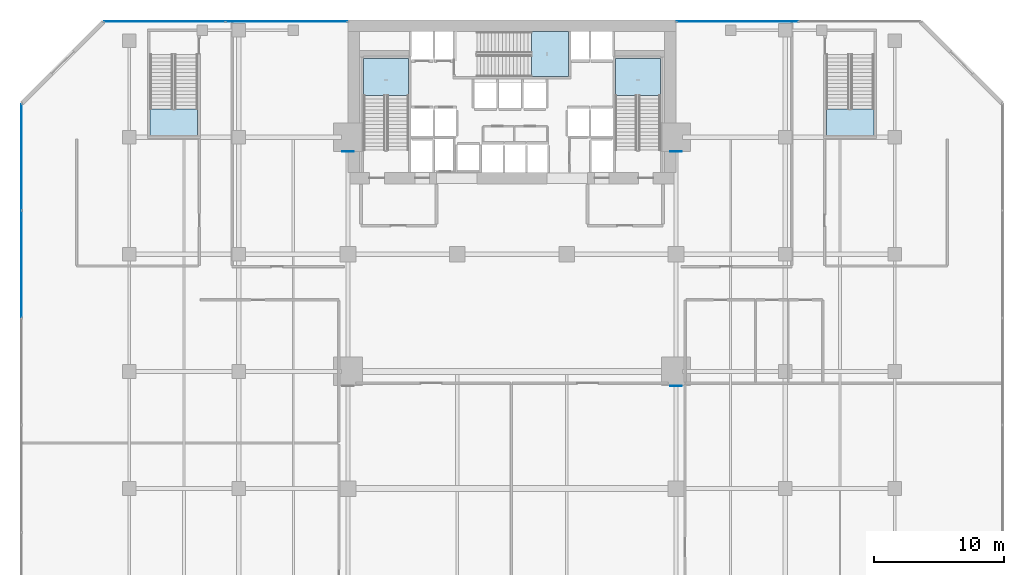
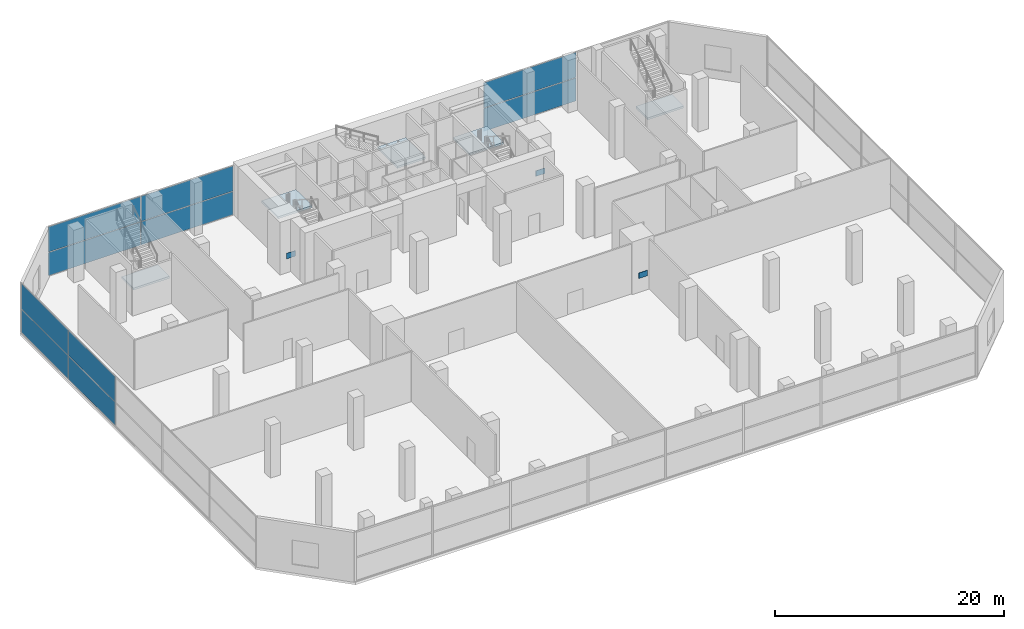
# One storey, part 33 of 40: 13 plates, 5 slabs, 8 elements without a shape of their own.
"""IFC4 building model written with IfcOpenShell, lengths in metres."""

from ifc_helpers import new_model, si_unit, direction, frame, origin, origin_2d, place, context, subcontext, project, spatial, polyline, rectangle, outline, extrude, material, layer, layer_set, type_object, element, aggregate, save


model = new_model("IFC4")

# Units and contexts
model_context = context("Model", 3, precision=1e-05, world=origin(), true_north=direction((0.0, 1.0)))
body_context = subcontext(model_context, "Body", "Model", "MODEL_VIEW")
ifc_project = project(units=[si_unit("LENGTHUNIT", "METRE"), si_unit("AREAUNIT", "SQUARE_METRE"), si_unit("VOLUMEUNIT", "CUBIC_METRE"), si_unit("PLANEANGLEUNIT", "RADIAN"), si_unit("MASSUNIT", "GRAM", prefix="KILO")], contexts=[model_context])

# Site, building, storey
site_placement = place(None, origin())
site = spatial("IfcSite", under=ifc_project, at=site_placement, CompositionType="ELEMENT")
building_placement = place(site_placement, origin())
building = spatial("IfcBuilding", under=site, at=building_placement, Name="Maruvema Waterfront Hotel and Observation Tower", CompositionType="ELEMENT")
storey_placement = place(building_placement, frame((0.0, 0.0, 10.85009765625)))
storey = spatial("IfcBuildingStorey", under=building, at=storey_placement, Name="L02", CompositionType="ELEMENT", Elevation=10.85009765625)

# Curtain wall, plates
ifc_material_1 = material(Name="Anodised bronze aluminium and solar-control low-E IGU", Category="aluminium")
ifc_layer_1 = layer(ifc_material_1, 0.159912109375, Name="Podium Waterfront Storefront Curtain Wall System CW-01")
ifc_layer_set_1 = layer_set([ifc_layer_1], Name="Anodised bronze aluminium and solar-control low-E IGU")
curtain_wall_type = type_object("IfcCurtainWallType", Name="Podium Waterfront Storefront Curtain Wall System CW-01", PredefinedType="USERDEFINED", material=ifc_layer_set_1)
curtain_wall_1_placement = place(storey_placement, origin())
curtain_wall_1 = element("IfcCurtainWall", 1, at=curtain_wall_1_placement, inside=storey, type_object=curtain_wall_type, Name="L02 Curtain Wall CW-L02-NE", ObjectType="UNITISED CURTAIN WALL", PredefinedType="USERDEFINED")
ifc_material_2 = material(Name="Laminated low-E solar-control double glazing", Category="glass")
ifc_layer_2 = layer(ifc_material_2, 0.035888671875, Name="Solar Control Double-Glazed Curtain Panel 36 mm")
ifc_layer_set_2 = layer_set([ifc_layer_2], Name="Laminated low-E solar-control double glazing")
plate_type_1 = type_object("IfcPlateType", Name="Solar Control Double-Glazed Curtain Panel 36 mm", PredefinedType="CURTAIN_PANEL", material=ifc_layer_set_2)
plate_1_placement = place(storey_placement, frame((55.114990234375, 53.8798828125, 0.059814453125), z_axis=(0.0, 0.0, 1.0), x_axis=(-1.0, 0.0, 0.0)))
plate_1 = element("IfcPlate", 2, at=plate_1_placement, type_object=plate_type_1, Name="CW-01 panel 2.1", PredefinedType="CURTAIN_PANEL", context=body_context, shape_type="SweptSolid", body=[
    extrude(rectangle(XDim=9.31005859375, YDim=0.028076171875, at=origin_2d()), origin(), (0.0, 0.0, 1.0), 2.4599609375),
])
plate_2_placement = place(storey_placement, frame((55.114990234375, 53.8798828125, 2.580078125), z_axis=(0.0, 0.0, 1.0), x_axis=(-1.0, 0.0, 0.0)))
plate_2 = element("IfcPlate", 3, at=plate_2_placement, type_object=plate_type_1, Name="CW-01 panel 2.2", PredefinedType="CURTAIN_PANEL", context=body_context, shape_type="SweptSolid", body=[
    extrude(rectangle(XDim=9.31005859375, YDim=0.028076171875, at=origin_2d()), origin(), (0.0, 0.0, 1.0), 2.679931640625),
])
aggregate(curtain_wall_1, [plate_1, plate_2])

curtain_wall_2_placement = place(storey_placement, origin())
curtain_wall_2 = element("IfcCurtainWall", 4, at=curtain_wall_2_placement, inside=storey, type_object=curtain_wall_type, Name="L02 Curtain Wall CW-L02-NW", ObjectType="UNITISED CURTAIN WALL", PredefinedType="USERDEFINED")
plate_3_placement = place(storey_placement, frame((20.485107421875, 53.8798828125, 0.059814453125), z_axis=(0.0, 0.0, 1.0), x_axis=(-1.0, 0.0, 0.0)))
plate_3 = element("IfcPlate", 5, at=plate_3_placement, type_object=plate_type_1, Name="CW-01 panel 1.1", PredefinedType="CURTAIN_PANEL", context=body_context, shape_type="SweptSolid", body=[
    extrude(rectangle(XDim=9.31005859375, YDim=0.028076171875, at=origin_2d()), origin(), (0.0, 0.0, 1.0), 2.4599609375),
])
plate_4_placement = place(storey_placement, frame((20.485107421875, 53.8798828125, 2.580078125), z_axis=(0.0, 0.0, 1.0), x_axis=(-1.0, 0.0, 0.0)))
plate_4 = element("IfcPlate", 6, at=plate_4_placement, type_object=plate_type_1, Name="CW-01 panel 1.2", PredefinedType="CURTAIN_PANEL", context=body_context, shape_type="SweptSolid", body=[
    extrude(rectangle(XDim=9.31005859375, YDim=0.028076171875, at=origin_2d()), origin(), (0.0, 0.0, 1.0), 2.679931640625),
])
plate_5_placement = place(storey_placement, frame((11.114990234375, 53.8798828125, 0.059814453125), z_axis=(0.0, 0.0, 1.0), x_axis=(-1.0, 0.0, 0.0)))
plate_5 = element("IfcPlate", 7, at=plate_5_placement, type_object=plate_type_1, Name="CW-01 panel 2.1", PredefinedType="CURTAIN_PANEL", context=body_context, shape_type="SweptSolid", body=[
    extrude(rectangle(XDim=9.31005859375, YDim=0.028076171875, at=origin_2d()), origin(), (0.0, 0.0, 1.0), 2.4599609375),
])
plate_6_placement = place(storey_placement, frame((11.114990234375, 53.8798828125, 2.580078125), z_axis=(0.0, 0.0, 1.0), x_axis=(-1.0, 0.0, 0.0)))
plate_6 = element("IfcPlate", 8, at=plate_6_placement, type_object=plate_type_1, Name="CW-01 panel 2.2", PredefinedType="CURTAIN_PANEL", context=body_context, shape_type="SweptSolid", body=[
    extrude(rectangle(XDim=9.31005859375, YDim=0.028076171875, at=origin_2d()), origin(), (0.0, 0.0, 1.0), 2.679931640625),
])
aggregate(curtain_wall_2, [plate_3, plate_4, plate_5, plate_6])

curtain_wall_3_placement = place(storey_placement, origin())
curtain_wall_3 = element("IfcCurtainWall", 9, at=curtain_wall_3_placement, inside=storey, type_object=curtain_wall_type, Name="L02 Curtain Wall CW-L02-W", ObjectType="UNITISED CURTAIN WALL", PredefinedType="USERDEFINED")
plate_7_placement = place(storey_placement, frame((0.1201171875, 43.465087890625, 0.059814453125), z_axis=(0.0, 0.0, 1.0), x_axis=(0.0, -1.0, 0.0)))
plate_7 = element("IfcPlate", 10, at=plate_7_placement, type_object=plate_type_1, Name="CW-01 panel 1.1", PredefinedType="CURTAIN_PANEL", context=body_context, shape_type="SweptSolid", body=[
    extrude(rectangle(XDim=8.14990234375, YDim=0.028076171875, at=origin_2d()), origin(), (0.0, 0.0, 1.0), 2.4599609375),
])
plate_8_placement = place(storey_placement, frame((0.1201171875, 43.465087890625, 2.580078125), z_axis=(0.0, 0.0, 1.0), x_axis=(0.0, -1.0, 0.0)))
plate_8 = element("IfcPlate", 11, at=plate_8_placement, type_object=plate_type_1, Name="CW-01 panel 1.2", PredefinedType="CURTAIN_PANEL", context=body_context, shape_type="SweptSolid", body=[
    extrude(rectangle(XDim=8.14990234375, YDim=0.028076171875, at=origin_2d()), origin(), (0.0, 0.0, 1.0), 2.679931640625),
])
plate_9_placement = place(storey_placement, frame((0.1201171875, 35.239990234375, 0.059814453125), z_axis=(0.0, 0.0, 1.0), x_axis=(0.0, -1.0, 0.0)))
plate_9 = element("IfcPlate", 12, at=plate_9_placement, type_object=plate_type_1, Name="CW-01 panel 2.1", PredefinedType="CURTAIN_PANEL", context=body_context, shape_type="SweptSolid", body=[
    extrude(rectangle(XDim=8.179931640625, YDim=0.028076171875, at=origin_2d()), origin(), (0.0, 0.0, 1.0), 2.4599609375),
])
plate_10_placement = place(storey_placement, frame((0.1201171875, 35.239990234375, 2.580078125), z_axis=(0.0, 0.0, 1.0), x_axis=(0.0, -1.0, 0.0)))
plate_10 = element("IfcPlate", 13, at=plate_10_placement, type_object=plate_type_1, Name="CW-01 panel 2.2", PredefinedType="CURTAIN_PANEL", context=body_context, shape_type="SweptSolid", body=[
    extrude(rectangle(XDim=8.179931640625, YDim=0.028076171875, at=origin_2d()), origin(), (0.0, 0.0, 1.0), 2.679931640625),
])
aggregate(curtain_wall_3, [plate_7, plate_8, plate_9, plate_10])

# Stair, slab
ifc_material_3 = material(Name="Concrete C50/60", Category="concrete")
stair_type_1 = type_object("IfcStairType", Name="Dogleg Exit Stair 1650 mm (32R x 175.0 mm)", PredefinedType="HALF_TURN_STAIR", material=ifc_material_3)
stair_1_placement = place(storey_placement, origin())
stair_1 = element("IfcStair", 14, at=stair_1_placement, inside=storey, type_object=stair_type_1, Name="L02 ST-01", PredefinedType="HALF_TURN_STAIR")
ifc_material_4 = material(Name="Concrete C50/60", Category="concrete")
ifc_layer_3 = layer(ifc_material_4, 0.219970703125, Name="Stair Concrete Landing Slab 220 mm")
ifc_layer_set_3 = layer_set([ifc_layer_3], Name="Concrete C50/60")
slab_type = type_object("IfcSlabType", Name="Stair Concrete Landing Slab 220 mm", PredefinedType="LANDING", material=ifc_layer_set_3)
slab_1_placement = place(storey_placement, frame((0.0, 0.0, 2.579833984375)))
slab_1 = element("IfcSlab", 15, at=slab_1_placement, type_object=slab_type, Name="ST-01 landing 1", PredefinedType="LANDING", context=body_context, shape_type="SweptSolid", body=[
    extrude(outline(polyline([(29.85009765625, 48.199951171875), (29.85009765625, 51.050048828125), (26.39990234375, 51.050048828125), (26.39990234375, 48.199951171875), (29.85009765625, 48.199951171875)])), origin(), (0.0, 0.0, 1.0), 0.219970703125),
])
aggregate(stair_1, [slab_1])

stair_2_placement = place(storey_placement, origin())
stair_2 = element("IfcStair", 16, at=stair_2_placement, inside=storey, type_object=stair_type_1, Name="L02 ST-02", PredefinedType="HALF_TURN_STAIR")
slab_2_placement = place(storey_placement, frame((0.0, 0.0, 2.579833984375)))
slab_2 = element("IfcSlab", 17, at=slab_2_placement, type_object=slab_type, Name="ST-02 landing 1", PredefinedType="LANDING", context=body_context, shape_type="SweptSolid", body=[
    extrude(outline(polyline([(39.300048828125, 49.64990234375), (42.14990234375, 49.64990234375), (42.14990234375, 53.10009765625), (39.300048828125, 53.10009765625), (39.300048828125, 49.64990234375)])), origin(), (0.0, 0.0, 1.0), 0.219970703125),
])
aggregate(stair_2, [slab_2])

stair_3_placement = place(storey_placement, origin())
stair_3 = element("IfcStair", 18, at=stair_3_placement, inside=storey, type_object=stair_type_1, Name="L02 ST-03", PredefinedType="HALF_TURN_STAIR")
slab_3_placement = place(storey_placement, frame((0.0, 0.0, 2.579833984375)))
slab_3 = element("IfcSlab", 19, at=slab_3_placement, type_object=slab_type, Name="ST-03 landing 1", PredefinedType="LANDING", context=body_context, shape_type="SweptSolid", body=[
    extrude(outline(polyline([(49.199951171875, 48.199951171875), (49.199951171875, 51.050048828125), (45.75, 51.050048828125), (45.75, 48.199951171875), (49.199951171875, 48.199951171875)])), origin(), (0.0, 0.0, 1.0), 0.219970703125),
])
aggregate(stair_3, [slab_3])

ifc_material_5 = material(Name="Concrete C50/60", Category="concrete")
stair_type_2 = type_object("IfcStairType", Name="Dogleg Exit Stair 1750 mm (32R x 175.0 mm)", PredefinedType="HALF_TURN_STAIR", material=ifc_material_5)
stair_4_placement = place(storey_placement, origin())
stair_4 = element("IfcStair", 20, at=stair_4_placement, inside=storey, type_object=stair_type_2, Name="L02 ST-04", PredefinedType="HALF_TURN_STAIR")
slab_4_placement = place(storey_placement, frame((0.0, 0.0, 2.579833984375)))
slab_4 = element("IfcSlab", 21, at=slab_4_placement, type_object=slab_type, Name="ST-04 landing 1", PredefinedType="LANDING", context=body_context, shape_type="SweptSolid", body=[
    extrude(outline(polyline([(10.0, 47.14990234375), (10.0, 45.10009765625), (13.64990234375, 45.10009765625), (13.64990234375, 47.14990234375), (10.0, 47.14990234375)])), origin(), (0.0, 0.0, 1.0), 0.219970703125),
])
aggregate(stair_4, [slab_4])

stair_5_placement = place(storey_placement, origin())
stair_5 = element("IfcStair", 22, at=stair_5_placement, inside=storey, type_object=stair_type_2, Name="L02 ST-05", PredefinedType="HALF_TURN_STAIR")
slab_5_placement = place(storey_placement, frame((0.0, 0.0, 2.579833984375)))
slab_5 = element("IfcSlab", 23, at=slab_5_placement, type_object=slab_type, Name="ST-05 landing 1", PredefinedType="LANDING", context=body_context, shape_type="SweptSolid", body=[
    extrude(outline(polyline([(61.949951171875, 47.14990234375), (61.949951171875, 45.10009765625), (65.60009765625, 45.10009765625), (65.60009765625, 47.14990234375), (61.949951171875, 47.14990234375)])), origin(), (0.0, 0.0, 1.0), 0.219970703125),
])
aggregate(stair_5, [slab_5])

# Plates
ifc_material_6 = material(Name="Steel ABNT NBR 7007 AR 415 (ASTM A572 Grade 50)", Category="steel")
ifc_layer_4 = layer(ifc_material_6, 0.0400390625, Name="Structural Truss Node Gusset Plate 40 mm")
ifc_layer_set_4 = layer_set([ifc_layer_4], Name="Steel ABNT NBR 7007 AR 415 (ASTM A572 Grade 50)")
plate_type_2 = type_object("IfcPlateType", Name="Structural Truss Node Gusset Plate 40 mm", PredefinedType="USERDEFINED", material=ifc_layer_set_4)
for number, where, z_axis, x_axis, name in (
    (24, (50.39990234375, 25.8798828125, 1.499755859375), (0.0, 0.0, 1.0), (1.0, 0.0, 0.0), "L02 MC-02 Moment Frame Continuity Gusset Plate"),
    (25, (25.199951171875, 43.8798828125, 1.499755859375), (0.0, 0.0, 1.0), (1.0, 0.0, 0.0), "L02 MC-03 Moment Frame Continuity Gusset Plate"),
    (26, (50.39990234375, 43.8798828125, 1.499755859375), (0.0, 0.0, 1.0), (1.0, 0.0, 0.0), "L02 MC-04 Moment Frame Continuity Gusset Plate"),
):
    element("IfcPlate", number, at=place(storey_placement, frame(where, z_axis=z_axis, x_axis=x_axis)), inside=storey, type_object=plate_type_2, Name=name, ObjectType="GUSSET_PLATE", PredefinedType="USERDEFINED", context=body_context, shape_type="SweptSolid", body=[
        extrude(rectangle(XDim=0.89990234375, YDim=0.0400390625, at=origin_2d()), origin(), (0.0, 0.0, 1.0), 0.60009765625),
    ])

save(model, "model.ifc")
